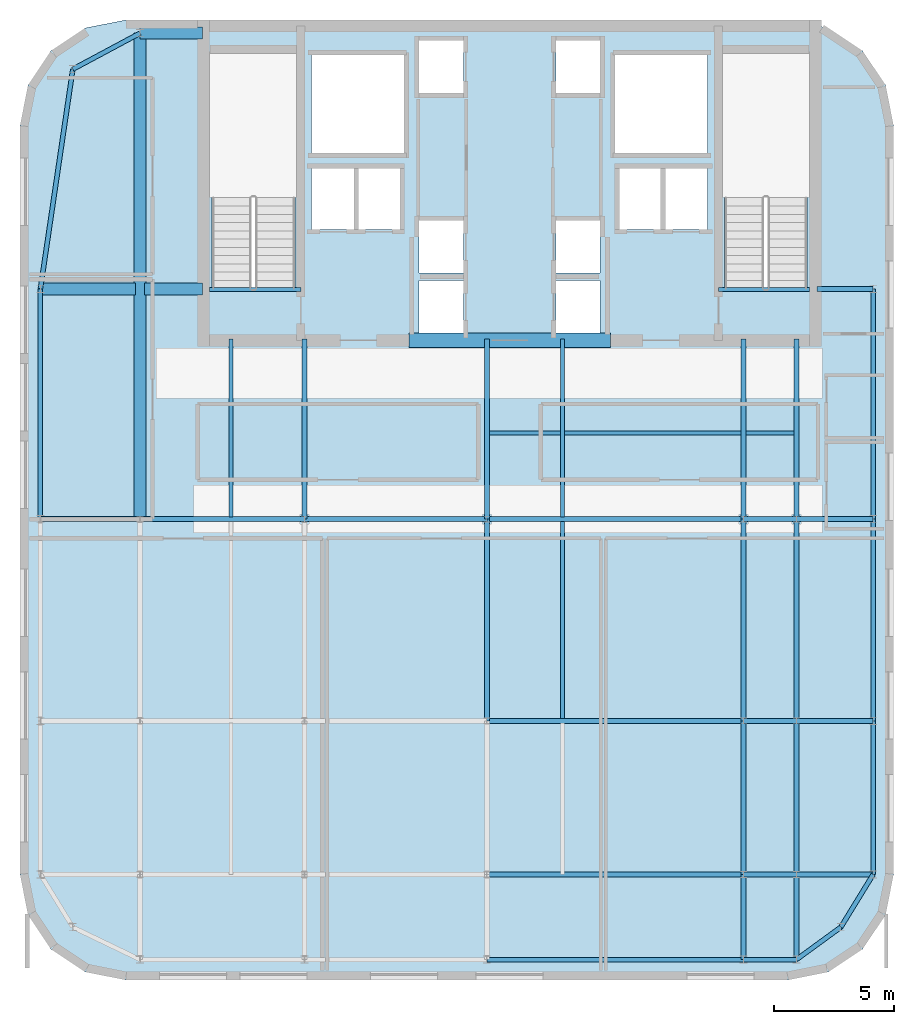
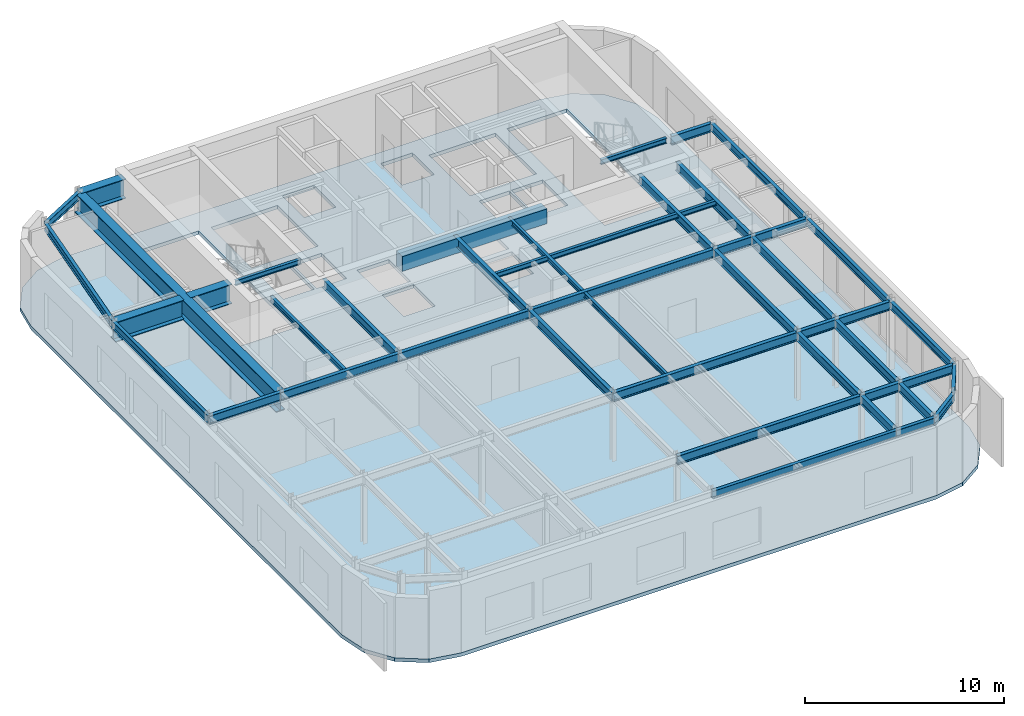
# One storey, part 5 of 10: 45 beams, 1 slab.
"""IFC4 building model written with IfcOpenShell, lengths in metres."""

from ifc_helpers import new_model, si_unit, direction, frame, origin, origin_2d, place, context, subcontext, project, spatial, polyline, rectangle, i_section, outline, extrude, source, transform, mapped, material, layer, layer_set, material_profile, profile_set, type_object, type_shapes, element, save


model = new_model("IFC4")

# Units and contexts
model_context = context("Model", 3, precision=1e-05, world=origin(), true_north=direction((0.0, 1.0)))
body_context = subcontext(model_context, "Body", "Model", "MODEL_VIEW")
ifc_project = project(units=[si_unit("LENGTHUNIT", "METRE"), si_unit("AREAUNIT", "SQUARE_METRE"), si_unit("VOLUMEUNIT", "CUBIC_METRE"), si_unit("PLANEANGLEUNIT", "RADIAN"), si_unit("MASSUNIT", "GRAM", prefix="KILO")], contexts=[model_context])

# Site, building, storey
site_placement = place(None, origin())
site = spatial("IfcSite", under=ifc_project, at=site_placement, CompositionType="ELEMENT")
building_placement = place(site_placement, origin())
building = spatial("IfcBuilding", under=site, at=building_placement, Name="Tolvann Quenvar Hotel", CompositionType="ELEMENT")
storey_placement = place(building_placement, frame((0.0, 0.0, 282.14990234375)))
storey = spatial("IfcBuildingStorey", under=building, at=storey_placement, Name="L75", CompositionType="ELEMENT", Elevation=282.14990234375)

# Beams
ifc_material_1 = material(Name="Concrete N50 (50 MPa)", Category="concrete")
ifc_material_profile_1 = material_profile(ifc_material_1, rectangle(XDim=0.60009765625, YDim=0.89990234375, at=origin_2d()), Name="RC600x900")
ifc_profile_set_1 = profile_set([ifc_material_profile_1], Name="Concrete N50 (50 MPa)")
beam_type_1 = type_object("IfcBeamType", Name="BM_LINT_RC600x900", PredefinedType="LINTEL", material=ifc_profile_set_1)
shared_shape_1 = source(origin(), body_context, "Body", "SweptSolid", [
    extrude(rectangle(XDim=0.60009765625, YDim=0.89990234375, at=origin_2d()), origin(), (0.0, 0.0, 1.0), 8.39990234375),
])
type_shapes(beam_type_1, [shared_shape_1])
beam_1_placement = place(storey_placement, frame((18.800048828125, 31.85009765625, 3.72998046875), z_axis=(1.0, 0.0, 0.0), x_axis=(0.0, 1.0, 0.0)))
element("IfcBeam", 1, at=beam_1_placement, inside=storey, type_object=beam_type_1, Name="Core Coupling Lintel Beam (L75)", PredefinedType="LINTEL", context=body_context, shape_type="MappedRepresentation", body=[
    mapped(shared_shape_1, transform((0.0, 0.0, 0.0), x_axis=(1.0, 0.0, 0.0), y_axis=(0.0, 1.0, 0.0), z_axis=(0.0, 0.0, 1.0), scale=1.0)),
])
ifc_material_2 = material(Name="Steel Grade 350", Category="steel")
ifc_material_profile_2 = material_profile(ifc_material_2, i_section(OverallWidth=0.208984375, OverallDepth=0.532958984375, WebThickness=0.01025390625, FlangeThickness=0.015625, FilletRadius=0.013916015625, at=origin_2d()), Name="530UB92")
ifc_profile_set_2 = profile_set([ifc_material_profile_2], Name="Steel Grade 350")
beam_type_2 = type_object("IfcBeamType", Name="BM_GIRD_530UB92", PredefinedType="BEAM", material=ifc_profile_set_2)
shared_shape_2 = source(origin(), body_context, "Body", "SweptSolid", [
    extrude(i_section(OverallWidth=0.208984375, OverallDepth=0.532958984375, WebThickness=0.01025390625, FlangeThickness=0.015625, FilletRadius=0.013916015625, at=origin_2d()), origin(), (0.0, 0.0, 1.0), 8.39990234375),
])
for number, where, z_axis, x_axis, name in (
    (2, (22.050048828125, 16.0, 3.91357421875), (0.0, 1.0, 0.0), (-1.0, 0.0, 0.0), "BM-L75-NS-E4-E5"),
    (3, (34.949951171875, 16.0, 3.91357421875), (0.0, 1.0, 0.0), (-1.0, 0.0, 0.0), "BM-L75-NS-F4-F5"),
    (4, (32.75, 16.0, 3.91357421875), (0.0, 1.0, 0.0), (-1.0, 0.0, 0.0), "BM-L75-NS-FP4-FP5"),
):
    element("IfcBeam", number, at=place(storey_placement, frame(where, z_axis=z_axis, x_axis=x_axis)), inside=storey, type_object=beam_type_2, Name=name, PredefinedType="BEAM", context=body_context, shape_type="MappedRepresentation", body=[
        mapped(shared_shape_2, transform((0.0, 0.0, 0.0), x_axis=(1.0, 0.0, 0.0), y_axis=(0.0, 1.0, 0.0), z_axis=(0.0, 0.0, 1.0), scale=1.0)),
    ])
ifc_material_profile_3 = material_profile(ifc_material_2, i_section(OverallWidth=0.5, OverallDepth=1.199951171875, WebThickness=0.01611328125, FlangeThickness=0.0400390625, at=origin_2d()), Name="1200WB455")
ifc_profile_set_3 = profile_set([ifc_material_profile_3], Name="Steel Grade 350")
beam_type_3 = type_object("IfcBeamType", Name="BM_TG_1200WB455", PredefinedType="USERDEFINED", material=ifc_profile_set_3)
shared_shape_3 = source(origin(), body_context, "Body", "SweptSolid", [
    extrude(i_section(OverallWidth=0.5, OverallDepth=1.199951171875, WebThickness=0.01611328125, FlangeThickness=0.0400390625, at=origin_2d()), origin(), (0.0, 0.0, 1.0), 2.419921875),
])
beam_2_placement = place(storey_placement, frame((7.780029296875, 34.0, 3.580078125), z_axis=(1.0, 0.0, 0.0), x_axis=(0.0, 1.0, 0.0)))
element("IfcBeam", 5, at=beam_2_placement, inside=storey, type_object=beam_type_3, Name="BM-L75-CTW-MID2", ObjectType="TRANSFER GIRDER", PredefinedType="USERDEFINED", context=body_context, shape_type="MappedRepresentation", body=[
    mapped(shared_shape_3, transform((0.0, 0.0, 0.0), x_axis=(1.0, 0.0, 0.0), y_axis=(0.0, 1.0, 0.0), z_axis=(0.0, 0.0, 1.0), scale=1.0)),
])
shared_shape_4 = source(origin(), body_context, "Body", "SweptSolid", [
    extrude(i_section(OverallWidth=0.5, OverallDepth=1.199951171875, WebThickness=0.01611328125, FlangeThickness=0.0400390625, at=origin_2d()), origin(), (0.0, 0.0, 1.0), 2.599853515625),
])
beam_3_placement = place(storey_placement, frame((7.60009765625, 44.64990234375, 3.580078125), z_axis=(1.0, 0.0, 0.0), x_axis=(0.0, 1.0, 0.0)))
element("IfcBeam", 6, at=beam_3_placement, inside=storey, type_object=beam_type_3, Name="BM-L75-CTW-CN", ObjectType="TRANSFER GIRDER", PredefinedType="USERDEFINED", context=body_context, shape_type="MappedRepresentation", body=[
    mapped(shared_shape_4, transform((0.0, 0.0, 0.0), x_axis=(1.0, 0.0, 0.0), y_axis=(0.0, 1.0, 0.0), z_axis=(0.0, 0.0, 1.0), scale=1.0)),
])
ifc_material_profile_4 = material_profile(ifc_material_2, i_section(OverallWidth=0.166015625, OverallDepth=0.306884765625, WebThickness=0.006591796875, FlangeThickness=0.01171875, FilletRadius=0.011474609375, at=origin_2d()), Name="310UB46")
ifc_profile_set_4 = profile_set([ifc_material_profile_4], Name="Steel Grade 350")
beam_type_4 = type_object("IfcBeamType", Name="BM_JOIST_310UB46", PredefinedType="JOIST", material=ifc_profile_set_4)
shared_shape_5 = source(origin(), body_context, "Body", "SweptSolid", [
    extrude(i_section(OverallWidth=0.166015625, OverallDepth=0.306884765625, WebThickness=0.006591796875, FlangeThickness=0.01171875, FilletRadius=0.011474609375, at=origin_2d()), origin(), (0.0, 0.0, 1.0), 3.800048828125),
])
for number, where, z_axis, x_axis, name in (
    (7, (10.5, 33.97998046875, 4.026611328125), (1.0, 0.0, 0.0), (0.0, 1.0, 0.0), "BM-HDR-STC1-L76"),
    (8, (31.699951171875, 33.97998046875, 4.026611328125), (1.0, 0.0, 0.0), (0.0, 1.0, 0.0), "BM-HDR-STC2-L76"),
):
    element("IfcBeam", number, at=place(storey_placement, frame(where, z_axis=z_axis, x_axis=x_axis)), inside=storey, type_object=beam_type_4, Name=name, PredefinedType="JOIST", context=body_context, shape_type="MappedRepresentation", body=[
        mapped(shared_shape_5, transform((0.0, 0.0, 0.0), x_axis=(1.0, 0.0, 0.0), y_axis=(0.0, 1.0, 0.0), z_axis=(0.0, 0.0, 1.0), scale=1.0)),
    ])
shared_shape_6 = source(origin(), body_context, "Body", "SweptSolid", [
    extrude(i_section(OverallWidth=0.5, OverallDepth=1.199951171875, WebThickness=0.01611328125, FlangeThickness=0.0400390625, at=origin_2d()), origin(), (0.0, 0.0, 1.0), 3.969970703125),
])
beam_4_placement = place(storey_placement, frame((3.449951171875, 34.0, 3.580078125), z_axis=(1.0, 0.0, 0.0), x_axis=(0.0, 1.0, 0.0)))
element("IfcBeam", 9, at=beam_4_placement, inside=storey, type_object=beam_type_3, Name="BM-L75-CTW-MID1", ObjectType="TRANSFER GIRDER", PredefinedType="USERDEFINED", context=body_context, shape_type="MappedRepresentation", body=[
    mapped(shared_shape_6, transform((0.0, 0.0, 0.0), x_axis=(1.0, 0.0, 0.0), y_axis=(0.0, 1.0, 0.0), z_axis=(0.0, 0.0, 1.0), scale=1.0)),
])
ifc_material_profile_5 = material_profile(ifc_material_2, i_section(OverallWidth=0.19091796875, OverallDepth=0.4599609375, WebThickness=0.010009765625, FlangeThickness=0.01611328125, FilletRadius=0.011474609375, at=origin_2d()), Name="460UB82")
ifc_profile_set_5 = profile_set([ifc_material_profile_5], Name="Steel Grade 350")
beam_type_5 = type_object("IfcBeamType", Name="BM_SPAND_460UB82", PredefinedType="SPANDREL", material=ifc_profile_set_5)
shared_shape_7 = source(origin(), body_context, "Body", "SweptSolid", [
    extrude(i_section(OverallWidth=0.19091796875, OverallDepth=0.4599609375, WebThickness=0.010009765625, FlangeThickness=0.01611328125, FilletRadius=0.011474609375, at=origin_2d()), origin(), (0.0, 0.0, 1.0), 8.39990234375),
])
beam_5_placement = place(storey_placement, frame((38.14990234375, 16.0, 3.9501953125), z_axis=(0.0, 1.0, 0.0), x_axis=(-1.0, 0.0, 0.0)))
element("IfcBeam", 10, at=beam_5_placement, inside=storey, type_object=beam_type_5, Name="BM-L75-NS-G4-G5", PredefinedType="SPANDREL", context=body_context, shape_type="MappedRepresentation", body=[
    mapped(shared_shape_7, transform((0.0, 0.0, 0.0), x_axis=(1.0, 0.0, 0.0), y_axis=(0.0, 1.0, 0.0), z_axis=(0.0, 0.0, 1.0), scale=1.0)),
])
shared_shape_8 = source(origin(), body_context, "Body", "SweptSolid", [
    extrude(i_section(OverallWidth=0.19091796875, OverallDepth=0.4599609375, WebThickness=0.010009765625, FlangeThickness=0.01611328125, FilletRadius=0.011474609375, at=origin_2d()), origin(), (0.0, 0.0, 1.0), 9.60009765625),
])
for number, where, z_axis, x_axis, name in (
    (11, (3.449951171875, 24.39990234375, 3.9501953125), (0.0, 1.0, 0.0), (-1.0, 0.0, 0.0), "BM-L75-FLK-W1"),
    (12, (38.14990234375, 24.39990234375, 3.9501953125), (0.0, 1.0, 0.0), (-1.0, 0.0, 0.0), "BM-L75-FLK-G1"),
):
    element("IfcBeam", number, at=place(storey_placement, frame(where, z_axis=z_axis, x_axis=x_axis)), inside=storey, type_object=beam_type_5, Name=name, PredefinedType="SPANDREL", context=body_context, shape_type="MappedRepresentation", body=[
        mapped(shared_shape_8, transform((0.0, 0.0, 0.0), x_axis=(1.0, 0.0, 0.0), y_axis=(0.0, 1.0, 0.0), z_axis=(0.0, 0.0, 1.0), scale=1.0)),
    ])
shared_shape_9 = source(origin(), body_context, "Body", "SweptSolid", [
    extrude(i_section(OverallWidth=0.19091796875, OverallDepth=0.4599609375, WebThickness=0.010009765625, FlangeThickness=0.01611328125, FilletRadius=0.011474609375, at=origin_2d()), origin(), (0.0, 0.0, 1.0), 9.2490234375),
])
beam_6_placement = place(storey_placement, frame((3.449951171875, 34.0, 3.9501953125), z_axis=(0.145972731602, 0.989288613918, 0.0), x_axis=(-0.989288613918, 0.145972731602, 0.0)))
element("IfcBeam", 13, at=beam_6_placement, inside=storey, type_object=beam_type_5, Name="BM-L75-FLK-W2", PredefinedType="SPANDREL", context=body_context, shape_type="MappedRepresentation", body=[
    mapped(shared_shape_9, transform((0.0, 0.0, 0.0), x_axis=(1.0, 0.0, 0.0), y_axis=(0.0, 1.0, 0.0), z_axis=(0.0, 0.0, 1.0), scale=1.0)),
])
shared_shape_10 = source(origin(), body_context, "Body", "SweptSolid", [
    extrude(i_section(OverallWidth=0.19091796875, OverallDepth=0.4599609375, WebThickness=0.010009765625, FlangeThickness=0.01611328125, FilletRadius=0.011474609375, at=origin_2d()), origin(), (0.0, 0.0, 1.0), 3.176513671875),
])
beam_7_placement = place(storey_placement, frame((4.800048828125, 43.14990234375, 3.9501953125), z_axis=(0.881483397762, 0.472215014025, 0.0), x_axis=(-0.472215014025, 0.881483397762, 0.0)))
element("IfcBeam", 14, at=beam_7_placement, inside=storey, type_object=beam_type_5, Name="BM-L75-FLK-W3", PredefinedType="SPANDREL", context=body_context, shape_type="MappedRepresentation", body=[
    mapped(shared_shape_10, transform((0.0, 0.0, 0.0), x_axis=(1.0, 0.0, 0.0), y_axis=(0.0, 1.0, 0.0), z_axis=(0.0, 0.0, 1.0), scale=1.0)),
])
shared_shape_11 = source(origin(), body_context, "Body", "SweptSolid", [
    extrude(i_section(OverallWidth=0.5, OverallDepth=1.199951171875, WebThickness=0.01611328125, FlangeThickness=0.0400390625, at=origin_2d()), origin(), (0.0, 0.0, 1.0), 20.25),
])
type_shapes(beam_type_3, [shared_shape_3, shared_shape_4, shared_shape_6, shared_shape_11])
beam_8_placement = place(storey_placement, frame((7.60009765625, 24.39990234375, 3.580078125), z_axis=(0.0, 1.0, 0.0), x_axis=(-1.0, 0.0, 0.0)))
element("IfcBeam", 15, at=beam_8_placement, inside=storey, type_object=beam_type_3, Name="BM-L75-FLK-WC", ObjectType="TRANSFER GIRDER", PredefinedType="USERDEFINED", context=body_context, shape_type="MappedRepresentation", body=[
    mapped(shared_shape_11, transform((0.0, 0.0, 0.0), x_axis=(1.0, 0.0, 0.0), y_axis=(0.0, 1.0, 0.0), z_axis=(0.0, 0.0, 1.0), scale=1.0)),
])
shared_shape_12 = source(origin(), body_context, "Body", "SweptSolid", [
    extrude(i_section(OverallWidth=0.166015625, OverallDepth=0.306884765625, WebThickness=0.006591796875, FlangeThickness=0.01171875, FilletRadius=0.011474609375, at=origin_2d()), origin(), (0.0, 0.0, 1.0), 12.89990234375),
])
beam_9_placement = place(storey_placement, frame((22.050048828125, 28.0, 4.026611328125), z_axis=(1.0, 0.0, 0.0), x_axis=(0.0, 1.0, 0.0)))
element("IfcBeam", 16, at=beam_9_placement, inside=storey, type_object=beam_type_4, Name="BM-L75-SPINE-28", PredefinedType="JOIST", context=body_context, shape_type="MappedRepresentation", body=[
    mapped(shared_shape_12, transform((0.0, 0.0, 0.0), x_axis=(1.0, 0.0, 0.0), y_axis=(0.0, 1.0, 0.0), z_axis=(0.0, 0.0, 1.0), scale=1.0)),
])
shared_shape_13 = source(origin(), body_context, "Body", "SweptSolid", [
    extrude(i_section(OverallWidth=0.19091796875, OverallDepth=0.4599609375, WebThickness=0.010009765625, FlangeThickness=0.01611328125, FilletRadius=0.011474609375, at=origin_2d()), origin(), (0.0, 0.0, 1.0), 2.199951171875),
])
beam_10_placement = place(storey_placement, frame((32.75, 6.050048828125, 3.9501953125), z_axis=(1.0, 0.0, 0.0), x_axis=(0.0, 1.0, 0.0)))
element("IfcBeam", 17, at=beam_10_placement, inside=storey, type_object=beam_type_5, Name="BM-L75-EW-2-FP2-F2", PredefinedType="SPANDREL", context=body_context, shape_type="MappedRepresentation", body=[
    mapped(shared_shape_13, transform((0.0, 0.0, 0.0), x_axis=(1.0, 0.0, 0.0), y_axis=(0.0, 1.0, 0.0), z_axis=(0.0, 0.0, 1.0), scale=1.0)),
])
shared_shape_14 = source(origin(), body_context, "Body", "SweptSolid", [
    extrude(i_section(OverallWidth=0.19091796875, OverallDepth=0.4599609375, WebThickness=0.010009765625, FlangeThickness=0.01611328125, FilletRadius=0.011474609375, at=origin_2d()), origin(), (0.0, 0.0, 1.0), 2.290283203125),
])
beam_11_placement = place(storey_placement, frame((34.949951171875, 6.050048828125, 3.9501953125), z_axis=(0.80783621865, 0.589407027305, 0.0), x_axis=(-0.589407027305, 0.80783621865, 0.0)))
element("IfcBeam", 18, at=beam_11_placement, inside=storey, type_object=beam_type_5, Name="BM-L75-EW-2-F2-G2", PredefinedType="SPANDREL", context=body_context, shape_type="MappedRepresentation", body=[
    mapped(shared_shape_14, transform((0.0, 0.0, 0.0), x_axis=(1.0, 0.0, 0.0), y_axis=(0.0, 1.0, 0.0), z_axis=(0.0, 0.0, 1.0), scale=1.0)),
])
shared_shape_15 = source(origin(), body_context, "Body", "SweptSolid", [
    extrude(i_section(OverallWidth=0.208984375, OverallDepth=0.532958984375, WebThickness=0.01025390625, FlangeThickness=0.015625, FilletRadius=0.013916015625, at=origin_2d()), origin(), (0.0, 0.0, 1.0), 4.150146484375),
])
beam_12_placement = place(storey_placement, frame((3.449951171875, 24.39990234375, 3.91357421875), z_axis=(1.0, 0.0, 0.0), x_axis=(0.0, 1.0, 0.0)))
element("IfcBeam", 19, at=beam_12_placement, inside=storey, type_object=beam_type_2, Name="BM-L75-EW-5-B5-C5", PredefinedType="BEAM", context=body_context, shape_type="MappedRepresentation", body=[
    mapped(shared_shape_15, transform((0.0, 0.0, 0.0), x_axis=(1.0, 0.0, 0.0), y_axis=(0.0, 1.0, 0.0), z_axis=(0.0, 0.0, 1.0), scale=1.0)),
])
shared_shape_16 = source(origin(), body_context, "Body", "SweptSolid", [
    extrude(i_section(OverallWidth=0.208984375, OverallDepth=0.532958984375, WebThickness=0.01025390625, FlangeThickness=0.015625, FilletRadius=0.013916015625, at=origin_2d()), origin(), (0.0, 0.0, 1.0), 6.849853515625),
])
beam_13_placement = place(storey_placement, frame((7.60009765625, 24.39990234375, 3.91357421875), z_axis=(1.0, 0.0, 0.0), x_axis=(0.0, 1.0, 0.0)))
element("IfcBeam", 20, at=beam_13_placement, inside=storey, type_object=beam_type_2, Name="BM-L75-EW-5-C5-D5", PredefinedType="BEAM", context=body_context, shape_type="MappedRepresentation", body=[
    mapped(shared_shape_16, transform((0.0, 0.0, 0.0), x_axis=(1.0, 0.0, 0.0), y_axis=(0.0, 1.0, 0.0), z_axis=(0.0, 0.0, 1.0), scale=1.0)),
])
shared_shape_17 = source(origin(), body_context, "Body", "SweptSolid", [
    extrude(i_section(OverallWidth=0.208984375, OverallDepth=0.532958984375, WebThickness=0.01025390625, FlangeThickness=0.015625, FilletRadius=0.013916015625, at=origin_2d()), origin(), (0.0, 0.0, 1.0), 2.199951171875),
])
for number, where, z_axis, x_axis, name in (
    (21, (32.75, 9.60009765625, 3.91357421875), (1.0, 0.0, 0.0), (0.0, 1.0, 0.0), "BM-L75-EW-3-FP3-F3"),
    (22, (32.75, 16.0, 3.91357421875), (1.0, 0.0, 0.0), (0.0, 1.0, 0.0), "BM-L75-EW-4-FP4-F4"),
    (23, (32.75, 24.39990234375, 3.91357421875), (1.0, 0.0, 0.0), (0.0, 1.0, 0.0), "BM-L75-EW-5-FP5-F5"),
):
    element("IfcBeam", number, at=place(storey_placement, frame(where, z_axis=z_axis, x_axis=x_axis)), inside=storey, type_object=beam_type_2, Name=name, PredefinedType="BEAM", context=body_context, shape_type="MappedRepresentation", body=[
        mapped(shared_shape_17, transform((0.0, 0.0, 0.0), x_axis=(1.0, 0.0, 0.0), y_axis=(0.0, 1.0, 0.0), z_axis=(0.0, 0.0, 1.0), scale=1.0)),
    ])
shared_shape_18 = source(origin(), body_context, "Body", "SweptSolid", [
    extrude(i_section(OverallWidth=0.208984375, OverallDepth=0.532958984375, WebThickness=0.01025390625, FlangeThickness=0.015625, FilletRadius=0.013916015625, at=origin_2d()), origin(), (0.0, 0.0, 1.0), 3.199951171875),
])
for number, where, z_axis, x_axis, name in (
    (24, (34.949951171875, 9.60009765625, 3.91357421875), (1.0, 0.0, 0.0), (0.0, 1.0, 0.0), "BM-L75-EW-3-F3-G3"),
    (25, (34.949951171875, 16.0, 3.91357421875), (1.0, 0.0, 0.0), (0.0, 1.0, 0.0), "BM-L75-EW-4-F4-G4"),
    (26, (34.949951171875, 24.39990234375, 3.91357421875), (1.0, 0.0, 0.0), (0.0, 1.0, 0.0), "BM-L75-EW-5-F5-G5"),
):
    element("IfcBeam", number, at=place(storey_placement, frame(where, z_axis=z_axis, x_axis=x_axis)), inside=storey, type_object=beam_type_2, Name=name, PredefinedType="BEAM", context=body_context, shape_type="MappedRepresentation", body=[
        mapped(shared_shape_18, transform((0.0, 0.0, 0.0), x_axis=(1.0, 0.0, 0.0), y_axis=(0.0, 1.0, 0.0), z_axis=(0.0, 0.0, 1.0), scale=1.0)),
    ])
shared_shape_19 = source(origin(), body_context, "Body", "SweptSolid", [
    extrude(i_section(OverallWidth=0.208984375, OverallDepth=0.532958984375, WebThickness=0.01025390625, FlangeThickness=0.015625, FilletRadius=0.013916015625, at=origin_2d()), origin(), (0.0, 0.0, 1.0), 7.60009765625),
])
beam_14_placement = place(storey_placement, frame((14.449951171875, 24.39990234375, 3.91357421875), z_axis=(1.0, 0.0, 0.0), x_axis=(0.0, 1.0, 0.0)))
element("IfcBeam", 27, at=beam_14_placement, inside=storey, type_object=beam_type_2, Name="BM-L75-EW-5-D5-E5", PredefinedType="BEAM", context=body_context, shape_type="MappedRepresentation", body=[
    mapped(shared_shape_19, transform((0.0, 0.0, 0.0), x_axis=(1.0, 0.0, 0.0), y_axis=(0.0, 1.0, 0.0), z_axis=(0.0, 0.0, 1.0), scale=1.0)),
])
shared_shape_20 = source(origin(), body_context, "Body", "SweptSolid", [
    extrude(i_section(OverallWidth=0.208984375, OverallDepth=0.532958984375, WebThickness=0.01025390625, FlangeThickness=0.015625, FilletRadius=0.013916015625, at=origin_2d()), origin(), (0.0, 0.0, 1.0), 7.5),
])
for number, where, z_axis, x_axis, name in (
    (28, (14.449951171875, 24.39990234375, 3.91357421875), (0.0, 1.0, 0.0), (-1.0, 0.0, 0.0), "BM-L75-CORE-D5"),
    (29, (22.050048828125, 24.39990234375, 3.91357421875), (0.0, 1.0, 0.0), (-1.0, 0.0, 0.0), "BM-L75-CORE-E5"),
    (30, (34.949951171875, 24.39990234375, 3.91357421875), (0.0, 1.0, 0.0), (-1.0, 0.0, 0.0), "BM-L75-CORE-F5"),
    (31, (32.75, 24.39990234375, 3.91357421875), (0.0, 1.0, 0.0), (-1.0, 0.0, 0.0), "BM-L75-CORE-FP5"),
):
    element("IfcBeam", number, at=place(storey_placement, frame(where, z_axis=z_axis, x_axis=x_axis)), inside=storey, type_object=beam_type_2, Name=name, PredefinedType="BEAM", context=body_context, shape_type="MappedRepresentation", body=[
        mapped(shared_shape_20, transform((0.0, 0.0, 0.0), x_axis=(1.0, 0.0, 0.0), y_axis=(0.0, 1.0, 0.0), z_axis=(0.0, 0.0, 1.0), scale=1.0)),
    ])
shared_shape_21 = source(origin(), body_context, "Body", "SweptSolid", [
    extrude(i_section(OverallWidth=0.208984375, OverallDepth=0.532958984375, WebThickness=0.01025390625, FlangeThickness=0.015625, FilletRadius=0.013916015625, at=origin_2d()), origin(), (0.0, 0.0, 1.0), 2.349853515625),
])
beam_15_placement = place(storey_placement, frame((35.800048828125, 34.0, 3.91357421875), z_axis=(1.0, 0.0, 0.0), x_axis=(0.0, 1.0, 0.0)))
element("IfcBeam", 32, at=beam_15_placement, inside=storey, type_object=beam_type_2, Name="BM-L75-CTE-GD6", PredefinedType="BEAM", context=body_context, shape_type="MappedRepresentation", body=[
    mapped(shared_shape_21, transform((0.0, 0.0, 0.0), x_axis=(1.0, 0.0, 0.0), y_axis=(0.0, 1.0, 0.0), z_axis=(0.0, 0.0, 1.0), scale=1.0)),
])
shared_shape_22 = source(origin(), body_context, "Body", "SweptSolid", [
    extrude(i_section(OverallWidth=0.166015625, OverallDepth=0.306884765625, WebThickness=0.006591796875, FlangeThickness=0.01171875, FilletRadius=0.011474609375, at=origin_2d()), origin(), (0.0, 0.0, 1.0), 8.203125),
])
beam_16_placement = place(storey_placement, frame((25.199951171875, 16.098388671875, 4.026611328125), z_axis=(0.0, 1.0, 0.0), x_axis=(-1.0, 0.0, 0.0)))
element("IfcBeam", 33, at=beam_16_placement, inside=storey, type_object=beam_type_4, Name="BJ-L75-252-160", PredefinedType="JOIST", context=body_context, shape_type="MappedRepresentation", body=[
    mapped(shared_shape_22, transform((0.0, 0.0, 0.0), x_axis=(1.0, 0.0, 0.0), y_axis=(0.0, 1.0, 0.0), z_axis=(0.0, 0.0, 1.0), scale=1.0)),
])
shared_shape_23 = source(origin(), body_context, "Body", "SweptSolid", [
    extrude(i_section(OverallWidth=0.166015625, OverallDepth=0.306884765625, WebThickness=0.006591796875, FlangeThickness=0.01171875, FilletRadius=0.011474609375, at=origin_2d()), origin(), (0.0, 0.0, 1.0), 7.4013671875),
])
type_shapes(beam_type_4, [shared_shape_5, shared_shape_12, shared_shape_22, shared_shape_23])
for number, where, z_axis, x_axis, name in (
    (34, (11.39990234375, 24.49853515625, 4.026611328125), (0.0, 1.0, 0.0), (-1.0, 0.0, 0.0), "BJ-L75-114-244"),
    (35, (25.199951171875, 24.49853515625, 4.026611328125), (0.0, 1.0, 0.0), (-1.0, 0.0, 0.0), "BJ-L75-252-244"),
):
    element("IfcBeam", number, at=place(storey_placement, frame(where, z_axis=z_axis, x_axis=x_axis)), inside=storey, type_object=beam_type_4, Name=name, PredefinedType="JOIST", context=body_context, shape_type="MappedRepresentation", body=[
        mapped(shared_shape_23, transform((0.0, 0.0, 0.0), x_axis=(1.0, 0.0, 0.0), y_axis=(0.0, 1.0, 0.0), z_axis=(0.0, 0.0, 1.0), scale=1.0)),
    ])
shared_shape_24 = source(origin(), body_context, "Body", "SweptSolid", [
    extrude(i_section(OverallWidth=0.19091796875, OverallDepth=0.4599609375, WebThickness=0.010009765625, FlangeThickness=0.01611328125, FilletRadius=0.011474609375, at=origin_2d()), origin(), (0.0, 0.0, 1.0), 10.699951171875),
])
beam_17_placement = place(storey_placement, frame((22.050048828125, 6.050048828125, 3.9501953125), z_axis=(1.0, 0.0, 0.0), x_axis=(0.0, 1.0, 0.0)))
element("IfcBeam", 36, at=beam_17_placement, inside=storey, type_object=beam_type_5, Name="BM-L75-EW-2-E2-FP2", PredefinedType="SPANDREL", context=body_context, shape_type="MappedRepresentation", body=[
    mapped(shared_shape_24, transform((0.0, 0.0, 0.0), x_axis=(1.0, 0.0, 0.0), y_axis=(0.0, 1.0, 0.0), z_axis=(0.0, 0.0, 1.0), scale=1.0)),
])
shared_shape_25 = source(origin(), body_context, "Body", "SweptSolid", [
    extrude(i_section(OverallWidth=0.208984375, OverallDepth=0.532958984375, WebThickness=0.01025390625, FlangeThickness=0.015625, FilletRadius=0.013916015625, at=origin_2d()), origin(), (0.0, 0.0, 1.0), 10.699951171875),
])
for number, where, z_axis, x_axis, name in (
    (37, (22.050048828125, 9.60009765625, 3.91357421875), (1.0, 0.0, 0.0), (0.0, 1.0, 0.0), "BM-L75-EW-3-E3-FP3"),
    (38, (22.050048828125, 16.0, 3.91357421875), (1.0, 0.0, 0.0), (0.0, 1.0, 0.0), "BM-L75-EW-4-E4-FP4"),
    (39, (22.050048828125, 24.39990234375, 3.91357421875), (1.0, 0.0, 0.0), (0.0, 1.0, 0.0), "BM-L75-EW-5-E5-FP5"),
):
    element("IfcBeam", number, at=place(storey_placement, frame(where, z_axis=z_axis, x_axis=x_axis)), inside=storey, type_object=beam_type_2, Name=name, PredefinedType="BEAM", context=body_context, shape_type="MappedRepresentation", body=[
        mapped(shared_shape_25, transform((0.0, 0.0, 0.0), x_axis=(1.0, 0.0, 0.0), y_axis=(0.0, 1.0, 0.0), z_axis=(0.0, 0.0, 1.0), scale=1.0)),
    ])
shared_shape_26 = source(origin(), body_context, "Body", "SweptSolid", [
    extrude(i_section(OverallWidth=0.19091796875, OverallDepth=0.4599609375, WebThickness=0.010009765625, FlangeThickness=0.01611328125, FilletRadius=0.011474609375, at=origin_2d()), origin(), (0.0, 0.0, 1.0), 2.581298828125),
])
beam_18_placement = place(storey_placement, frame((36.800048828125, 7.39990234375, 3.9501953125), z_axis=(0.522941262414, 0.852368720722, 0.0), x_axis=(-0.852368720722, 0.522941262414, 0.0)))
element("IfcBeam", 40, at=beam_18_placement, inside=storey, type_object=beam_type_5, Name="BM-L75-NS-G2-G3", PredefinedType="SPANDREL", context=body_context, shape_type="MappedRepresentation", body=[
    mapped(shared_shape_26, transform((0.0, 0.0, 0.0), x_axis=(1.0, 0.0, 0.0), y_axis=(0.0, 1.0, 0.0), z_axis=(0.0, 0.0, 1.0), scale=1.0)),
])
shared_shape_27 = source(origin(), body_context, "Body", "SweptSolid", [
    extrude(i_section(OverallWidth=0.19091796875, OverallDepth=0.4599609375, WebThickness=0.010009765625, FlangeThickness=0.01611328125, FilletRadius=0.011474609375, at=origin_2d()), origin(), (0.0, 0.0, 1.0), 6.39990234375),
])
type_shapes(beam_type_5, [shared_shape_7, shared_shape_8, shared_shape_9, shared_shape_10, shared_shape_13, shared_shape_14, shared_shape_24, shared_shape_26, shared_shape_27])
beam_19_placement = place(storey_placement, frame((38.14990234375, 9.60009765625, 3.9501953125), z_axis=(0.0, 1.0, 0.0), x_axis=(-1.0, 0.0, 0.0)))
element("IfcBeam", 41, at=beam_19_placement, inside=storey, type_object=beam_type_5, Name="BM-L75-NS-G3-G4", PredefinedType="SPANDREL", context=body_context, shape_type="MappedRepresentation", body=[
    mapped(shared_shape_27, transform((0.0, 0.0, 0.0), x_axis=(1.0, 0.0, 0.0), y_axis=(0.0, 1.0, 0.0), z_axis=(0.0, 0.0, 1.0), scale=1.0)),
])
shared_shape_28 = source(origin(), body_context, "Body", "SweptSolid", [
    extrude(i_section(OverallWidth=0.208984375, OverallDepth=0.532958984375, WebThickness=0.01025390625, FlangeThickness=0.015625, FilletRadius=0.013916015625, at=origin_2d()), origin(), (0.0, 0.0, 1.0), 3.550048828125),
])
for number, where, z_axis, x_axis, name in (
    (42, (34.949951171875, 6.050048828125, 3.91357421875), (0.0, 1.0, 0.0), (-1.0, 0.0, 0.0), "BM-L75-NS-F2-F3"),
    (43, (32.75, 6.050048828125, 3.91357421875), (0.0, 1.0, 0.0), (-1.0, 0.0, 0.0), "BM-L75-NS-FP2-FP3"),
):
    element("IfcBeam", number, at=place(storey_placement, frame(where, z_axis=z_axis, x_axis=x_axis)), inside=storey, type_object=beam_type_2, Name=name, PredefinedType="BEAM", context=body_context, shape_type="MappedRepresentation", body=[
        mapped(shared_shape_28, transform((0.0, 0.0, 0.0), x_axis=(1.0, 0.0, 0.0), y_axis=(0.0, 1.0, 0.0), z_axis=(0.0, 0.0, 1.0), scale=1.0)),
    ])
shared_shape_29 = source(origin(), body_context, "Body", "SweptSolid", [
    extrude(i_section(OverallWidth=0.208984375, OverallDepth=0.532958984375, WebThickness=0.01025390625, FlangeThickness=0.015625, FilletRadius=0.013916015625, at=origin_2d()), origin(), (0.0, 0.0, 1.0), 6.39990234375),
])
type_shapes(beam_type_2, [shared_shape_2, shared_shape_15, shared_shape_16, shared_shape_17, shared_shape_18, shared_shape_19, shared_shape_20, shared_shape_21, shared_shape_25, shared_shape_28, shared_shape_29])
for number, where, z_axis, x_axis, name in (
    (44, (34.949951171875, 9.60009765625, 3.91357421875), (0.0, 1.0, 0.0), (-1.0, 0.0, 0.0), "BM-L75-NS-F3-F4"),
    (45, (32.75, 9.60009765625, 3.91357421875), (0.0, 1.0, 0.0), (-1.0, 0.0, 0.0), "BM-L75-NS-FP3-FP4"),
):
    element("IfcBeam", number, at=place(storey_placement, frame(where, z_axis=z_axis, x_axis=x_axis)), inside=storey, type_object=beam_type_2, Name=name, PredefinedType="BEAM", context=body_context, shape_type="MappedRepresentation", body=[
        mapped(shared_shape_29, transform((0.0, 0.0, 0.0), x_axis=(1.0, 0.0, 0.0), y_axis=(0.0, 1.0, 0.0), z_axis=(0.0, 0.0, 1.0), scale=1.0)),
    ])

# Slab
ifc_layer = layer(ifc_material_1, 0.219970703125)
ifc_layer_set = layer_set([ifc_layer], Name="Concrete N50 (50 MPa)")
slab_type = type_object("IfcSlabType", Name="SLAB_UPR_220", PredefinedType="FLOOR", material=ifc_layer_set)
slab_placement = place(storey_placement, frame((0.0, 0.0, -0.219970703125)))
element("IfcSlab", 46, at=slab_placement, inside=storey, type_object=slab_type, Name="Level L75 Structural Floor Slab", PredefinedType="FLOOR", context=body_context, shape_type="SweptSolid", body=[
    extrude(outline(polyline([(2.60009765625, 9.60009765625), (2.934814453125, 7.916259765625), (3.888671875, 6.48876953125), (5.316162109375, 5.534912109375), (7.0, 5.199951171875), (34.60009765625, 5.199951171875), (36.28369140625, 5.534912109375), (37.711181640625, 6.48876953125), (38.6650390625, 7.916259765625), (39.0, 9.60009765625), (39.0, 40.800048828125), (38.6650390625, 42.48388671875), (37.711181640625, 43.911376953125), (36.28369140625, 44.864990234375), (34.60009765625, 45.199951171875), (7.0, 45.199951171875), (5.316162109375, 44.864990234375), (3.888671875, 43.911376953125), (2.934814453125, 42.48388671875), (2.60009765625, 40.800048828125), (2.60009765625, 9.60009765625)]), holes=[polyline([(31.949951171875, 34.02490234375), (31.949951171875, 43.800048828125), (35.39990234375, 43.800048828125), (35.39990234375, 34.02490234375), (31.949951171875, 34.02490234375)]), polyline([(27.39990234375, 43.75), (31.25, 43.75), (31.25, 39.64990234375), (27.39990234375, 39.64990234375), (27.39990234375, 43.75)]), polyline([(29.449951171875, 39.02001953125), (31.25, 39.02001953125), (31.25, 36.47998046875), (29.449951171875, 36.47998046875), (29.449951171875, 39.02001953125)]), polyline([(27.574951171875, 39.02001953125), (29.324951171875, 39.02001953125), (29.324951171875, 36.47998046875), (27.574951171875, 36.47998046875), (27.574951171875, 39.02001953125)]), polyline([(24.929931640625, 36.840087890625), (26.77001953125, 36.840087890625), (26.77001953125, 34.659912109375), (24.929931640625, 34.659912109375), (24.929931640625, 36.840087890625)]), polyline([(24.929931640625, 44.340087890625), (26.77001953125, 44.340087890625), (26.77001953125, 42.159912109375), (24.929931640625, 42.159912109375), (24.929931640625, 44.340087890625)]), polyline([(24.929931640625, 32.159912109375), (24.929931640625, 34.340087890625), (26.77001953125, 34.340087890625), (26.77001953125, 32.159912109375), (24.929931640625, 32.159912109375)]), polyline([(19.22998046875, 36.840087890625), (21.070068359375, 36.840087890625), (21.070068359375, 34.659912109375), (19.22998046875, 34.659912109375), (19.22998046875, 36.840087890625)]), polyline([(19.22998046875, 44.340087890625), (21.070068359375, 44.340087890625), (21.070068359375, 42.159912109375), (19.22998046875, 42.159912109375), (19.22998046875, 44.340087890625)]), polyline([(19.22998046875, 32.159912109375), (19.22998046875, 34.340087890625), (21.070068359375, 34.340087890625), (21.070068359375, 32.159912109375), (19.22998046875, 32.159912109375)]), polyline([(14.75, 43.75), (18.60009765625, 43.75), (18.60009765625, 39.64990234375), (14.75, 39.64990234375), (14.75, 43.75)]), polyline([(16.675048828125, 39.02001953125), (18.425048828125, 39.02001953125), (18.425048828125, 36.47998046875), (16.675048828125, 36.47998046875), (16.675048828125, 39.02001953125)]), polyline([(14.75, 39.02001953125), (16.550048828125, 39.02001953125), (16.550048828125, 36.47998046875), (14.75, 36.47998046875), (14.75, 39.02001953125)]), polyline([(10.60009765625, 34.02490234375), (10.60009765625, 43.800048828125), (14.050048828125, 43.800048828125), (14.050048828125, 34.02490234375), (10.60009765625, 34.02490234375)])]), origin(), (0.0, 0.0, 1.0), 0.219970703125),
])

save(model, "model.ifc")
